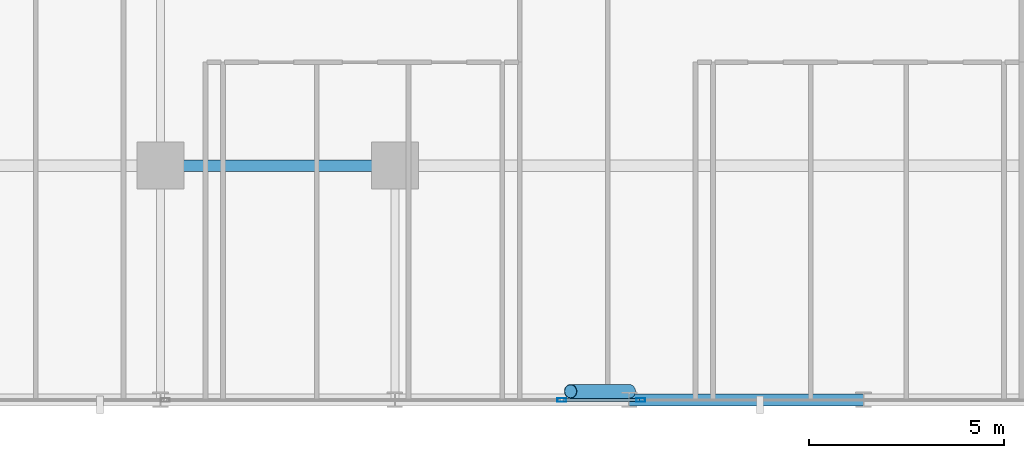
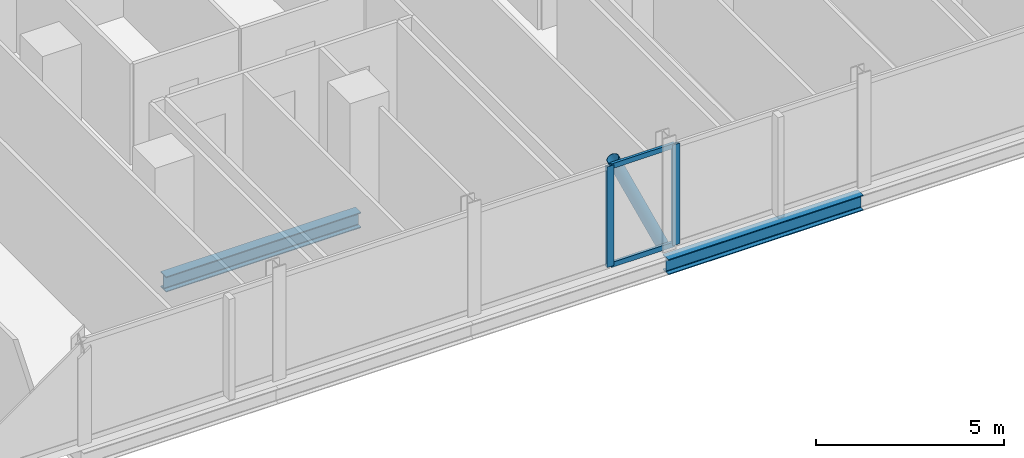
# One storey, part 8 of 34: 5 members, 2 beams, 2 elements without a shape of their own.
"""IFC4 building model written with IfcOpenShell, lengths in metres."""

from ifc_helpers import new_model, si_unit, direction, frame, origin, origin_2d, place, context, subcontext, project, spatial, hollow_rectangle, hollow_circle, i_section, extrude, material, layer, layer_set, material_profile, profile_set, type_object, element, aggregate, save


model = new_model("IFC4")

# Units and contexts
model_context = context("Model", 3, precision=1e-05, world=origin(), true_north=direction((0.0, 1.0)))
body_context = subcontext(model_context, "Body", "Model", "MODEL_VIEW")
ifc_project = project(units=[si_unit("LENGTHUNIT", "METRE"), si_unit("AREAUNIT", "SQUARE_METRE"), si_unit("VOLUMEUNIT", "CUBIC_METRE"), si_unit("PLANEANGLEUNIT", "RADIAN"), si_unit("MASSUNIT", "GRAM", prefix="KILO")], contexts=[model_context])

# Site, building, storey
site_placement = place(None, origin())
site = spatial("IfcSite", under=ifc_project, at=site_placement, CompositionType="ELEMENT")
building_placement = place(site_placement, origin())
building = spatial("IfcBuilding", under=site, at=building_placement, Name="Keshet Zoharim Tower", CompositionType="ELEMENT")
storey_placement = place(building_placement, frame((0.0, 0.0, 77.5)))
storey = spatial("IfcBuildingStorey", under=building, at=storey_placement, Name="L18", CompositionType="ELEMENT", Elevation=77.5)

# Beams
ifc_material_1 = material(Name="Steel S355", Category="steel")
ifc_material_profile_1 = material_profile(ifc_material_1, i_section(OverallWidth=0.300048828125, OverallDepth=0.5, WebThickness=0.014404296875, FlangeThickness=0.028076171875, FilletRadius=0.027099609375, at=origin_2d()), Name="HEB500")
ifc_profile_set_1 = profile_set([ifc_material_profile_1], Name="Steel S355")
beam_type = type_object("IfcBeamType", Name="BM-WEB-HB500", PredefinedType="BEAM", material=ifc_profile_set_1)
for number, where, z_axis, x_axis, name in (
    (1, (45.0, 0.699951171875, -0.56494140625), (1.0, 0.0, 0.0), (0.0, 1.0, 0.0), "L18 Primary Girder X-004"),
    (2, (33.0, 6.699951171875, -0.56494140625), (1.0, 0.0, 0.0), (0.0, 1.0, 0.0), "L18 Primary Girder X-008"),
):
    element("IfcBeam", number, at=place(storey_placement, frame(where, z_axis=z_axis, x_axis=x_axis)), inside=storey, type_object=beam_type, Name=name, PredefinedType="BEAM", context=body_context, shape_type="SweptSolid", body=[
        extrude(i_section(OverallWidth=0.300048828125, OverallDepth=0.5, WebThickness=0.014404296875, FlangeThickness=0.028076171875, FilletRadius=0.027099609375, at=origin_2d()), origin(), (0.0, 0.0, 1.0), 6.0),
    ])

# Curtain wall, member
ifc_material_2 = material(Name="Aluminium 6063-T6", Category="aluminium")
ifc_layer = layer(ifc_material_2, 0.179931640625)
ifc_layer_set = layer_set([ifc_layer], Name="Aluminium 6063-T6")
curtain_wall_type = type_object("IfcCurtainWallType", Name="CW-SYS-01", PredefinedType="NOTDEFINED", material=ifc_layer_set)
curtain_wall_1_placement = place(storey_placement, origin())
curtain_wall_1 = element("IfcCurtainWall", 3, at=curtain_wall_1_placement, inside=storey, type_object=curtain_wall_type, Name="L18 Unitised Curtain Wall 26", PredefinedType="NOTDEFINED")
ifc_material_profile_2 = material_profile(ifc_material_2, hollow_rectangle(XDim=0.090087890625, YDim=0.219970703125, WallThickness=0.0048828125, at=origin_2d()), Name="MUL-90x220")
ifc_profile_set_2 = profile_set([ifc_material_profile_2], Name="Aluminium 6063-T6")
member_type_1 = type_object("IfcMemberType", Name="CWM-M22", PredefinedType="MULLION", material=ifc_profile_set_2)
member_1_placement = place(storey_placement, frame((45.296630859375, 0.699951171875, 0.0), z_axis=(0.0, 0.0, 1.0), x_axis=(0.0, -1.0, 0.0)))
member_1 = element("IfcMember", 4, at=member_1_placement, type_object=member_type_1, Name="CW-01 mullion 2", PredefinedType="MULLION", context=body_context, shape_type="SweptSolid", body=[
    extrude(hollow_rectangle(XDim=0.090087890625, YDim=0.219970703125, WallThickness=0.0048828125, at=origin_2d()), origin(), (0.0, 0.0, 1.0), 3.280029296875),
])
aggregate(curtain_wall_1, [member_1])

# Curtain wall, members
curtain_wall_2_placement = place(storey_placement, origin())
curtain_wall_2 = element("IfcCurtainWall", 5, at=curtain_wall_2_placement, inside=storey, type_object=curtain_wall_type, Name="L18 Unitised Curtain Wall 26 Part 2", PredefinedType="NOTDEFINED")
member_2_placement = place(storey_placement, frame((43.273193359375, 0.699951171875, 0.0), z_axis=(0.0, 0.0, 1.0), x_axis=(0.0, -1.0, 0.0)))
member_2 = element("IfcMember", 6, at=member_2_placement, type_object=member_type_1, Name="CW-01 mullion 2", PredefinedType="MULLION", context=body_context, shape_type="SweptSolid", body=[
    extrude(hollow_rectangle(XDim=0.090087890625, YDim=0.219970703125, WallThickness=0.0048828125, at=origin_2d()), origin(), (0.0, 0.0, 1.0), 3.280029296875),
])
ifc_material_profile_3 = material_profile(ifc_material_2, hollow_rectangle(XDim=0.0849609375, YDim=0.159912109375, WallThickness=0.00439453125, at=origin_2d()), Name="TRN-85x160")
ifc_profile_set_3 = profile_set([ifc_material_profile_3], Name="Aluminium 6063-T6")
member_type_2 = type_object("IfcMemberType", Name="CWT-T16", PredefinedType="USERDEFINED", material=ifc_profile_set_3)
member_3_placement = place(storey_placement, frame((45.26171875, 0.699951171875, 0.034912109375), z_axis=(-1.0, 0.0, 0.0), x_axis=(0.0, -1.0, 0.0)))
member_3 = element("IfcMember", 7, at=member_3_placement, type_object=member_type_2, Name="CW-01 transom 1.1", ObjectType="TRANSOM", PredefinedType="USERDEFINED", context=body_context, shape_type="SweptSolid", body=[
    extrude(hollow_rectangle(XDim=0.0849609375, YDim=0.159912109375, WallThickness=0.00439453125, at=origin_2d()), origin(), (0.0, 0.0, 1.0), 1.953369140625),
])
member_4_placement = place(storey_placement, frame((45.26171875, 0.699951171875, 3.2451171875), z_axis=(-1.0, 0.0, 0.0), x_axis=(0.0, -1.0, 0.0)))
member_4 = element("IfcMember", 8, at=member_4_placement, type_object=member_type_2, Name="CW-01 transom 1.2", ObjectType="TRANSOM", PredefinedType="USERDEFINED", context=body_context, shape_type="SweptSolid", body=[
    extrude(hollow_rectangle(XDim=0.0849609375, YDim=0.159912109375, WallThickness=0.00439453125, at=origin_2d()), origin(), (0.0, 0.0, 1.0), 1.953369140625),
])
aggregate(curtain_wall_2, [member_2, member_3, member_4])

# Member
ifc_material_profile_4 = material_profile(ifc_material_1, hollow_circle(Radius=0.177734375, WallThickness=0.012451171875, at=origin_2d()), Name="CHS355x12.5")
ifc_profile_set_4 = profile_set([ifc_material_profile_4], Name="Steel S355")
member_type_3 = type_object("IfcMemberType", Name="MB-BR-C355", PredefinedType="BRACE", material=ifc_profile_set_4)
member_5_placement = place(storey_placement, frame((45.0, 0.919921875, 0.0), z_axis=(-0.415887731958, 0.0, 0.909415963356), x_axis=(0.0, -1.0, 0.0)))
element("IfcMember", 9, at=member_5_placement, inside=storey, type_object=member_type_3, Name="L18 Perimeter Tube Brace 03", PredefinedType="BRACE", context=body_context, shape_type="SweptSolid", body=[
    extrude(hollow_circle(Radius=0.177734375, WallThickness=0.012451171875, at=origin_2d()), origin(), (0.0, 0.0, 1.0), 3.606689453125),
])

save(model, "model.ifc")
